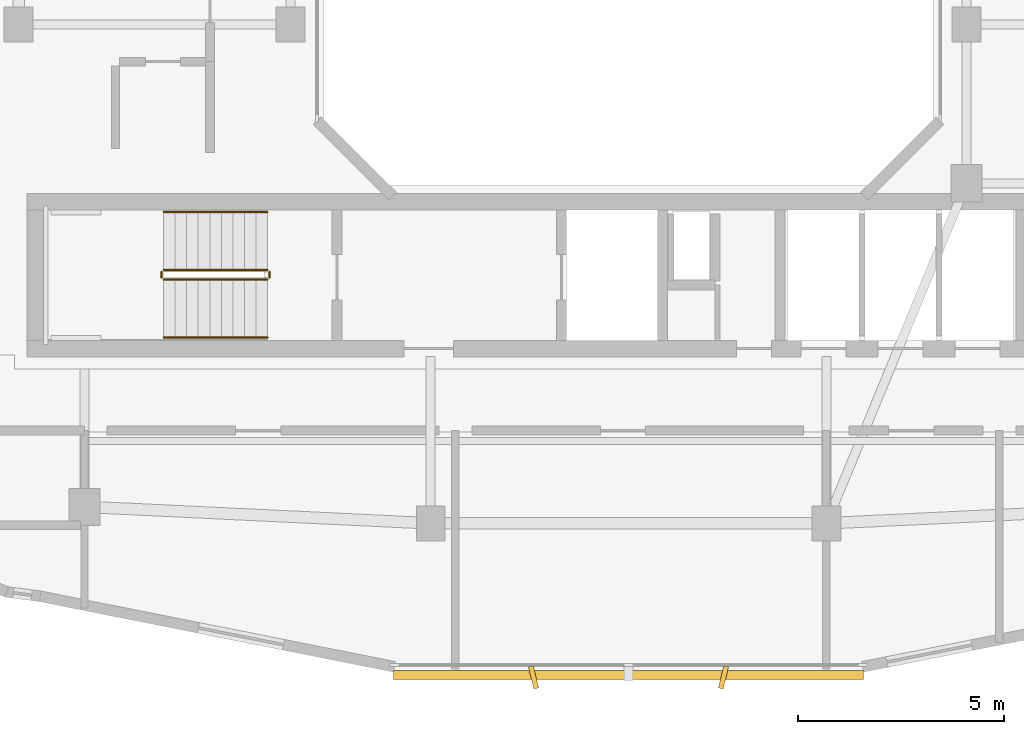
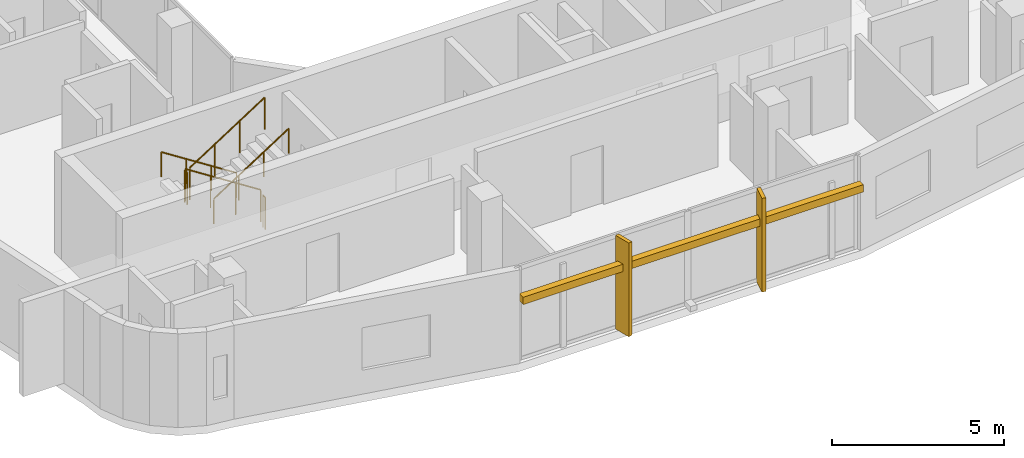
# One storey, part 11 of 14: 6 railings, 3 shading devices.
"""IFC4 building model written with IfcOpenShell, lengths in metres."""

from ifc_helpers import new_model, si_unit, derived_unit, direction, frame, origin, origin_2d, place, context, subcontext, project, spatial, rectangle, circle, extrude, material, type_object, element, save


model = new_model("IFC4")

# Units and contexts
model_context = context("Model", 3, precision=1e-05, world=origin(), true_north=direction((0.0, 1.0)))
body_context = subcontext(model_context, "Body", "Model", "MODEL_VIEW")
ifc_project = project(units=[si_unit("LENGTHUNIT", "METRE"), si_unit("AREAUNIT", "SQUARE_METRE"), si_unit("VOLUMEUNIT", "CUBIC_METRE"), si_unit("PLANEANGLEUNIT", "RADIAN"), si_unit("MASSUNIT", "GRAM", prefix="KILO"), derived_unit("THERMALTRANSMITTANCEUNIT", [(si_unit("POWERUNIT", "WATT"), 1), (si_unit("LENGTHUNIT", "METRE"), -2), (si_unit("THERMODYNAMICTEMPERATUREUNIT", "KELVIN"), -1)])], contexts=[model_context])

# Site, building, storey
site_placement = place(None, origin())
site = spatial("IfcSite", under=ifc_project, at=site_placement, CompositionType="ELEMENT")
building_placement = place(site_placement, origin())
building = spatial("IfcBuilding", under=site, at=building_placement, Name="Kivonza Crest Hotel", CompositionType="ELEMENT")
storey_placement = place(building_placement, frame((0.0, 0.0, 213.5)))
storey = spatial("IfcBuildingStorey", under=building, at=storey_placement, Name="L58", CompositionType="ELEMENT", Elevation=213.5)

# Railings
ifc_material_1 = material(Name="Brushed stainless steel handrail", Category="steel")
railing_type_1 = type_object("IfcRailingType", Name="RL-HAND-900", PredefinedType="HANDRAIL", material=ifc_material_1)
railing_1_placement = place(storey_placement, frame((12.239990234375, 16.949951171875, 0.179931640625)))
element("IfcRailing", 1, at=railing_1_placement, inside=storey, type_object=railing_type_1, Name="L58 ST-T1-S stair handrail 1", PredefinedType="HANDRAIL", context=body_context, shape_type="SweptSolid", body=[
    extrude(circle(Radius=0.02392578125, at=origin_2d()), frame((0.0, 0.0, 0.8759765625), z_axis=(-0.841162588446, 0.0, 0.540782303519), x_axis=(0.0, -1.0, 0.0)), (0.0, 0.0, 1.0), 2.995849609375),
    extrude(circle(Radius=0.02099609375, at=origin_2d()), origin(), (0.0, 0.0, 1.0), 0.851806640625),
    extrude(circle(Radius=0.02099609375, at=origin_2d()), frame((-0.840087890625, 0.0, 0.5400390625)), (0.0, 0.0, 1.0), 0.851806640625),
    extrude(circle(Radius=0.02099609375, at=origin_2d()), frame((-1.679931640625, 0.0, 1.080078125)), (0.0, 0.0, 1.0), 0.851806640625),
    extrude(circle(Radius=0.02099609375, at=origin_2d()), frame((-2.52001953125, 0.0, 1.6201171875)), (0.0, 0.0, 1.0), 0.851806640625),
])
railing_2_placement = place(storey_placement, frame((9.719970703125, 13.909912109375, 1.97998046875)))
element("IfcRailing", 2, at=railing_2_placement, inside=storey, type_object=railing_type_1, Name="L58 ST-T1-S stair handrail 2", PredefinedType="HANDRAIL", context=body_context, shape_type="SweptSolid", body=[
    extrude(circle(Radius=0.02392578125, at=origin_2d()), frame((0.0, 0.0, 0.8759765625), z_axis=(0.841162588446, 0.0, 0.540782303519), x_axis=(0.0, 1.0, 0.0)), (0.0, 0.0, 1.0), 2.995849609375),
    extrude(circle(Radius=0.02099609375, at=origin_2d()), origin(), (0.0, 0.0, 1.0), 0.851806640625),
    extrude(circle(Radius=0.02099609375, at=origin_2d()), frame((0.840087890625, 0.0, 0.5400390625)), (0.0, 0.0, 1.0), 0.851806640625),
    extrude(circle(Radius=0.02099609375, at=origin_2d()), frame((1.679931640625, 0.0, 1.080078125)), (0.0, 0.0, 1.0), 0.851806640625),
    extrude(circle(Radius=0.02099609375, at=origin_2d()), frame((2.52001953125, 0.0, 1.6201171875)), (0.0, 0.0, 1.0), 0.851806640625),
])
ifc_material_2 = material(Name="Painted steel balustrade", Category="steel")
railing_type_2 = type_object("IfcRailingType", Name="RL-STAIR-1150", PredefinedType="BALUSTRADE", material=ifc_material_2)
railing_3_placement = place(storey_placement, frame((12.239990234375, 15.550048828125, 0.179931640625)))
element("IfcRailing", 3, at=railing_3_placement, inside=storey, type_object=railing_type_2, Name="L58 ST-T1-S stair guard 1", PredefinedType="BALUSTRADE", context=body_context, shape_type="SweptSolid", body=[
    extrude(circle(Radius=0.02392578125, at=origin_2d()), frame((0.0, 0.0, 1.1259765625), z_axis=(-0.841162588446, 0.0, 0.540782303519), x_axis=(0.0, -1.0, 0.0)), (0.0, 0.0, 1.0), 2.995849609375),
    extrude(circle(Radius=0.02099609375, at=origin_2d()), origin(), (0.0, 0.0, 1.0), 1.101806640625),
    extrude(circle(Radius=0.02099609375, at=origin_2d()), frame((-0.840087890625, 0.0, 0.5400390625)), (0.0, 0.0, 1.0), 1.101806640625),
    extrude(circle(Radius=0.02099609375, at=origin_2d()), frame((-1.679931640625, 0.0, 1.080078125)), (0.0, 0.0, 1.0), 1.101806640625),
    extrude(circle(Radius=0.02099609375, at=origin_2d()), frame((-2.52001953125, 0.0, 1.6201171875)), (0.0, 0.0, 1.0), 1.101806640625),
])
railing_4_placement = place(storey_placement, frame((9.669921875, 15.5, 1.800048828125)))
element("IfcRailing", 4, at=railing_4_placement, inside=storey, type_object=railing_type_2, Name="L58 ST-T1-S stair guard 2", PredefinedType="BALUSTRADE", context=body_context, shape_type="SweptSolid", body=[
    extrude(circle(Radius=0.02392578125, at=origin_2d()), frame((0.0, 0.0, 1.1259765625), z_axis=(0.0, -1.0, 0.0), x_axis=(1.0, 0.0, 0.0)), (0.0, 0.0, 1.0), 0.139892578125),
    extrude(circle(Radius=0.02099609375, at=origin_2d()), origin(), (0.0, 0.0, 1.0), 1.101806640625),
    extrude(circle(Radius=0.02099609375, at=origin_2d()), frame((0.0, -0.139892578125, 0.0)), (0.0, 0.0, 1.0), 1.101806640625),
])
railing_5_placement = place(storey_placement, frame((9.719970703125, 15.31005859375, 1.97998046875)))
element("IfcRailing", 5, at=railing_5_placement, inside=storey, type_object=railing_type_2, Name="L58 ST-T1-S stair guard 3", PredefinedType="BALUSTRADE", context=body_context, shape_type="SweptSolid", body=[
    extrude(circle(Radius=0.02392578125, at=origin_2d()), frame((0.0, 0.0, 1.1259765625), z_axis=(0.841162588446, 0.0, 0.540782303519), x_axis=(0.0, 1.0, 0.0)), (0.0, 0.0, 1.0), 2.995849609375),
    extrude(circle(Radius=0.02099609375, at=origin_2d()), origin(), (0.0, 0.0, 1.0), 1.101806640625),
    extrude(circle(Radius=0.02099609375, at=origin_2d()), frame((0.840087890625, 0.0, 0.5400390625)), (0.0, 0.0, 1.0), 1.101806640625),
    extrude(circle(Radius=0.02099609375, at=origin_2d()), frame((1.679931640625, 0.0, 1.080078125)), (0.0, 0.0, 1.0), 1.101806640625),
    extrude(circle(Radius=0.02099609375, at=origin_2d()), frame((2.52001953125, 0.0, 1.6201171875)), (0.0, 0.0, 1.0), 1.101806640625),
])
railing_6_placement = place(storey_placement, frame((12.2900390625, 15.5, 0.0)))
element("IfcRailing", 6, at=railing_6_placement, inside=storey, type_object=railing_type_2, Name="L58 ST-T1-S stair guard 4", PredefinedType="BALUSTRADE", context=body_context, shape_type="SweptSolid", body=[
    extrude(circle(Radius=0.02392578125, at=origin_2d()), frame((0.0, 0.0, 1.1259765625), z_axis=(0.0, -1.0, 0.0), x_axis=(1.0, 0.0, 0.0)), (0.0, 0.0, 1.0), 0.139892578125),
    extrude(circle(Radius=0.02099609375, at=origin_2d()), origin(), (0.0, 0.0, 1.0), 1.101806640625),
    extrude(circle(Radius=0.02099609375, at=origin_2d()), frame((0.0, -0.139892578125, 0.0)), (0.0, 0.0, 1.0), 1.101806640625),
])

# Shading devices
ifc_material_3 = material(Name="Kiln-fired Nairobi red-ochre terracotta", Category="masonry")
shading_device_type_1 = type_object("IfcShadingDeviceType", Name="SH-BAGUETTE-300", PredefinedType="USERDEFINED", material=ifc_material_3)
shading_device_placement = place(storey_placement, frame((21.0, 5.719970703125, 2.19384765625), z_axis=(0.0, 0.0, 1.0), x_axis=(1.0, 0.0, 0.0)))
element("IfcShadingDevice", 7, at=shading_device_placement, inside=storey, type_object=shading_device_type_1, Name="L58 terracotta baguette screen CW-T1-L58-08", ObjectType="BAGUETTE", PredefinedType="USERDEFINED", context=body_context, shape_type="SweptSolid", body=[
    extrude(rectangle(XDim=11.39990234375, YDim=0.219970703125, at=origin_2d()), origin(), (0.0, 0.0, 1.0), 0.260009765625),
])
ifc_material_4 = material(Name="Kiln-fired terracotta over extruded aluminium spine", Category="masonry")
shading_device_type_2 = type_object("IfcShadingDeviceType", Name="SH-FIN-550", PredefinedType="USERDEFINED", material=ifc_material_4)
for number, where, z_axis, x_axis, name in (
    (8, (18.696044921875, 5.659912109375, 0.0), (0.0, 0.0, 1.0), (0.970295726276, 0.2419218956, 0.0), "L58 vertical solar shading fin CW-T1-L58-08-1"),
    (9, (23.303955078125, 5.659912109375, 0.0), (0.0, 0.0, 1.0), (0.970295726276, -0.2419218956, 0.0), "L58 vertical solar shading fin CW-T1-L58-08-2"),
):
    element("IfcShadingDevice", number, at=place(storey_placement, frame(where, z_axis=z_axis, x_axis=x_axis)), inside=storey, type_object=shading_device_type_2, Name=name, ObjectType="FIN", PredefinedType="USERDEFINED", context=body_context, shape_type="SweptSolid", body=[
        extrude(rectangle(XDim=0.1201171875, YDim=0.550048828125, at=origin_2d()), origin(), (0.0, 0.0, 1.0), 3.320068359375),
    ])

save(model, "model.ifc")
